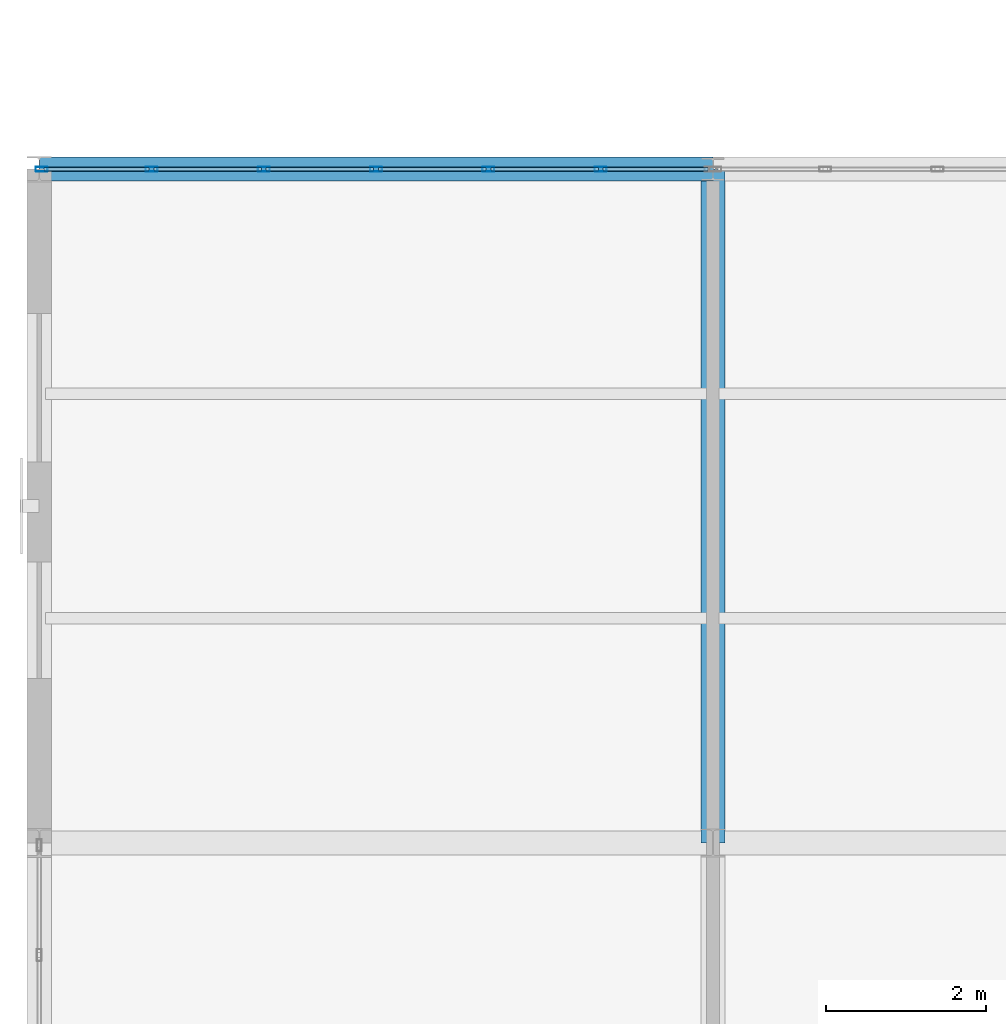
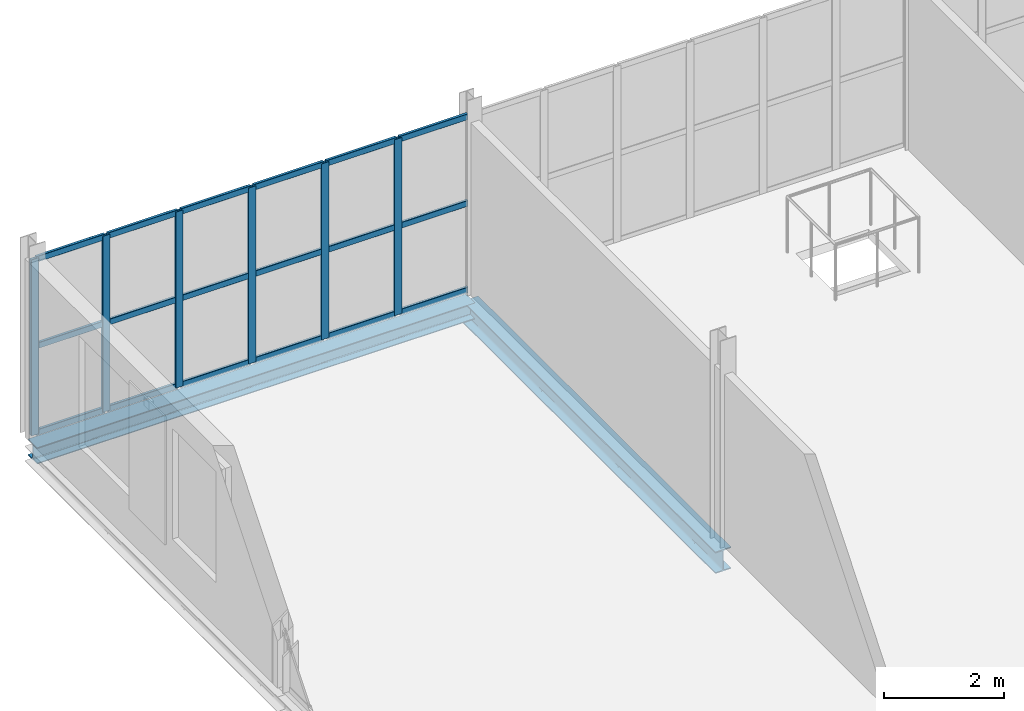
# One storey, part 81 of 163: 24 members, 2 beams, 1 element without a shape of its own.
"""IFC4 building model written with IfcOpenShell, lengths in metres."""

from ifc_helpers import new_model, si_unit, direction, frame, origin, origin_2d, place, context, subcontext, project, spatial, hollow_rectangle, i_section, extrude, material, layer, layer_set, material_profile, profile_set, type_object, element, aggregate, save


model = new_model("IFC4")

# Units and contexts
model_context = context("Model", 3, precision=1e-05, world=origin(), true_north=direction((0.0, 1.0)))
body_context = subcontext(model_context, "Body", "Model", "MODEL_VIEW")
ifc_project = project(units=[si_unit("LENGTHUNIT", "METRE"), si_unit("AREAUNIT", "SQUARE_METRE"), si_unit("VOLUMEUNIT", "CUBIC_METRE"), si_unit("PLANEANGLEUNIT", "RADIAN"), si_unit("MASSUNIT", "GRAM", prefix="KILO")], contexts=[model_context])

# Site, building, storey
site_placement = place(None, origin())
site = spatial("IfcSite", under=ifc_project, at=site_placement, CompositionType="ELEMENT")
building_placement = place(site_placement, origin())
building = spatial("IfcBuilding", under=site, at=building_placement, Name="Qalvenar Corner Mobility Hub", CompositionType="ELEMENT")
storey_placement = place(building_placement, frame((0.0, 0.0, 4.800048828125)))
storey = spatial("IfcBuildingStorey", under=building, at=storey_placement, Name="L01", CompositionType="ELEMENT", Elevation=4.800048828125)

# Beams
ifc_material_1 = material(Name="Steel S355", Category="steel")
ifc_material_profile_1 = material_profile(ifc_material_1, i_section(OverallWidth=0.300048828125, OverallDepth=0.43994140625, WebThickness=0.011474609375, FlangeThickness=0.02099609375, FilletRadius=0.027099609375, at=origin_2d()), Name="HEA450")
ifc_profile_set_1 = profile_set([ifc_material_profile_1], Name="Steel S355")
beam_type_1 = type_object("IfcBeamType", Name="BM-HEA450", PredefinedType="BEAM", material=ifc_profile_set_1)
beam_1_placement = place(storey_placement, frame((8.39990234375, 84.0, -0.400146484375), z_axis=(0.0, 1.0, 0.0), x_axis=(-1.0, 0.0, 0.0)))
element("IfcBeam", 1, at=beam_1_placement, inside=storey, type_object=beam_type_1, Name="Primary Steel Girder GY-1191", PredefinedType="BEAM", context=body_context, shape_type="SweptSolid", body=[
    extrude(i_section(OverallWidth=0.300048828125, OverallDepth=0.43994140625, WebThickness=0.011474609375, FlangeThickness=0.02099609375, FilletRadius=0.027099609375, at=origin_2d()), origin(), (0.0, 0.0, 1.0), 8.39990234375),
])
ifc_material_profile_2 = material_profile(ifc_material_1, i_section(OverallWidth=0.300048828125, OverallDepth=0.330078125, WebThickness=0.009521484375, FlangeThickness=0.0166015625, FilletRadius=0.027099609375, at=origin_2d()), Name="HEA340")
ifc_profile_set_2 = profile_set([ifc_material_profile_2], Name="Steel S355")
beam_type_2 = type_object("IfcBeamType", Name="BM-SPN340", PredefinedType="SPANDREL", material=ifc_profile_set_2)
beam_2_placement = place(storey_placement, frame((0.0, 92.39990234375, -0.344970703125), z_axis=(1.0, 0.0, 0.0), x_axis=(0.0, 1.0, 0.0)))
element("IfcBeam", 2, at=beam_2_placement, inside=storey, type_object=beam_type_2, Name="Primary Steel Girder GX-1176", PredefinedType="SPANDREL", context=body_context, shape_type="SweptSolid", body=[
    extrude(i_section(OverallWidth=0.300048828125, OverallDepth=0.330078125, WebThickness=0.009521484375, FlangeThickness=0.0166015625, FilletRadius=0.027099609375, at=origin_2d()), origin(), (0.0, 0.0, 1.0), 8.39990234375),
])

# Curtain wall, members
ifc_material_2 = material(Name="Anodised Aluminium and Low-E Glazing", Category="aluminium")
ifc_layer = layer(ifc_material_2, 0.14990234375)
ifc_layer_set = layer_set([ifc_layer], Name="Anodised Aluminium and Low-E Glazing")
curtain_wall_type = type_object("IfcCurtainWallType", Name="CW-CYC-84X39", PredefinedType="NOTDEFINED", material=ifc_layer_set)
curtain_wall_placement = place(storey_placement, origin())
curtain_wall = element("IfcCurtainWall", 3, at=curtain_wall_placement, inside=storey, type_object=curtain_wall_type, Name="Glazed Curtain Wall CW-V5-L01-N0", PredefinedType="NOTDEFINED")
ifc_material_3 = material(Name="Anodised Aluminium 6063-T6", Category="aluminium")
ifc_material_profile_3 = material_profile(ifc_material_3, hollow_rectangle(XDim=0.06005859375, YDim=0.14990234375, WallThickness=0.00390625, InnerFilletRadius=0.00390625, OuterFilletRadius=0.008056640625, at=origin_2d()), Name="RHS150x60x4")
ifc_profile_set_3 = profile_set([ifc_material_profile_3], Name="Anodised Aluminium 6063-T6")
member_type_1 = type_object("IfcMemberType", Name="CW-MUL150", PredefinedType="MULLION", material=ifc_profile_set_3)
member_1_placement = place(storey_placement, frame((7.0, 92.39990234375, 0.0), z_axis=(0.0, 0.0, 1.0), x_axis=(0.0, -1.0, 0.0)))
member_1 = element("IfcMember", 4, at=member_1_placement, type_object=member_type_1, Name="CW-08 mullion 2", PredefinedType="MULLION", context=body_context, shape_type="SweptSolid", body=[
    extrude(hollow_rectangle(XDim=0.06005859375, YDim=0.14990234375, WallThickness=0.00390625, InnerFilletRadius=0.00390625, OuterFilletRadius=0.008056640625, at=origin_2d()), origin(), (0.0, 0.0, 1.0), 3.570068359375),
])
member_2_placement = place(storey_placement, frame((5.60009765625, 92.39990234375, 0.0), z_axis=(0.0, 0.0, 1.0), x_axis=(0.0, -1.0, 0.0)))
member_2 = element("IfcMember", 5, at=member_2_placement, type_object=member_type_1, Name="CW-08 mullion 3", PredefinedType="MULLION", context=body_context, shape_type="SweptSolid", body=[
    extrude(hollow_rectangle(XDim=0.06005859375, YDim=0.14990234375, WallThickness=0.00390625, InnerFilletRadius=0.00390625, OuterFilletRadius=0.008056640625, at=origin_2d()), origin(), (0.0, 0.0, 1.0), 3.570068359375),
])
member_3_placement = place(storey_placement, frame((4.199951171875, 92.39990234375, 0.0), z_axis=(0.0, 0.0, 1.0), x_axis=(0.0, -1.0, 0.0)))
member_3 = element("IfcMember", 6, at=member_3_placement, type_object=member_type_1, Name="CW-08 mullion 4", PredefinedType="MULLION", context=body_context, shape_type="SweptSolid", body=[
    extrude(hollow_rectangle(XDim=0.06005859375, YDim=0.14990234375, WallThickness=0.00390625, InnerFilletRadius=0.00390625, OuterFilletRadius=0.008056640625, at=origin_2d()), origin(), (0.0, 0.0, 1.0), 3.570068359375),
])
member_4_placement = place(storey_placement, frame((2.800048828125, 92.39990234375, 0.0), z_axis=(0.0, 0.0, 1.0), x_axis=(0.0, -1.0, 0.0)))
member_4 = element("IfcMember", 7, at=member_4_placement, type_object=member_type_1, Name="CW-08 mullion 5", PredefinedType="MULLION", context=body_context, shape_type="SweptSolid", body=[
    extrude(hollow_rectangle(XDim=0.06005859375, YDim=0.14990234375, WallThickness=0.00390625, InnerFilletRadius=0.00390625, OuterFilletRadius=0.008056640625, at=origin_2d()), origin(), (0.0, 0.0, 1.0), 3.570068359375),
])
member_5_placement = place(storey_placement, frame((1.39990234375, 92.39990234375, 0.0), z_axis=(0.0, 0.0, 1.0), x_axis=(0.0, -1.0, 0.0)))
member_5 = element("IfcMember", 8, at=member_5_placement, type_object=member_type_1, Name="CW-08 mullion 6", PredefinedType="MULLION", context=body_context, shape_type="SweptSolid", body=[
    extrude(hollow_rectangle(XDim=0.06005859375, YDim=0.14990234375, WallThickness=0.00390625, InnerFilletRadius=0.00390625, OuterFilletRadius=0.008056640625, at=origin_2d()), origin(), (0.0, 0.0, 1.0), 3.570068359375),
])
member_6_placement = place(storey_placement, frame((0.030029296875, 92.39990234375, 0.0), z_axis=(0.0, 0.0, 1.0), x_axis=(0.0, -1.0, 0.0)))
member_6 = element("IfcMember", 9, at=member_6_placement, type_object=member_type_1, Name="CW-08 mullion 7", PredefinedType="MULLION", context=body_context, shape_type="SweptSolid", body=[
    extrude(hollow_rectangle(XDim=0.06005859375, YDim=0.14990234375, WallThickness=0.00390625, InnerFilletRadius=0.00390625, OuterFilletRadius=0.008056640625, at=origin_2d()), origin(), (0.0, 0.0, 1.0), 3.570068359375),
])
ifc_material_profile_4 = material_profile(ifc_material_3, hollow_rectangle(XDim=0.054931640625, YDim=0.1201171875, WallThickness=0.00341796875, InnerFilletRadius=0.00341796875, OuterFilletRadius=0.007080078125, at=origin_2d()), Name="RHS120x55x3.5")
ifc_profile_set_4 = profile_set([ifc_material_profile_4], Name="Anodised Aluminium 6063-T6")
member_type_2 = type_object("IfcMemberType", Name="CW-TRN120", PredefinedType="USERDEFINED", material=ifc_profile_set_4)
member_7_placement = place(storey_placement, frame((8.340087890625, 92.39990234375, 0.02734375), z_axis=(-1.0, 0.0, 0.0), x_axis=(0.0, -1.0, 0.0)))
member_7 = element("IfcMember", 10, at=member_7_placement, type_object=member_type_2, Name="CW-08 transom 1.1", ObjectType="TRANSOM", PredefinedType="USERDEFINED", context=body_context, shape_type="SweptSolid", body=[
    extrude(hollow_rectangle(XDim=0.054931640625, YDim=0.1201171875, WallThickness=0.00341796875, InnerFilletRadius=0.00341796875, OuterFilletRadius=0.007080078125, at=origin_2d()), origin(), (0.0, 0.0, 1.0), 1.31005859375),
])
member_8_placement = place(storey_placement, frame((8.340087890625, 92.39990234375, 1.784912109375), z_axis=(-1.0, 0.0, 0.0), x_axis=(0.0, -1.0, 0.0)))
member_8 = element("IfcMember", 11, at=member_8_placement, type_object=member_type_2, Name="CW-08 transom 1.2", ObjectType="TRANSOM", PredefinedType="USERDEFINED", context=body_context, shape_type="SweptSolid", body=[
    extrude(hollow_rectangle(XDim=0.054931640625, YDim=0.1201171875, WallThickness=0.00341796875, InnerFilletRadius=0.00341796875, OuterFilletRadius=0.007080078125, at=origin_2d()), origin(), (0.0, 0.0, 1.0), 1.31005859375),
])
member_9_placement = place(storey_placement, frame((8.340087890625, 92.39990234375, 3.54248046875), z_axis=(-1.0, 0.0, 0.0), x_axis=(0.0, -1.0, 0.0)))
member_9 = element("IfcMember", 12, at=member_9_placement, type_object=member_type_2, Name="CW-08 transom 1.3", ObjectType="TRANSOM", PredefinedType="USERDEFINED", context=body_context, shape_type="SweptSolid", body=[
    extrude(hollow_rectangle(XDim=0.054931640625, YDim=0.1201171875, WallThickness=0.00341796875, InnerFilletRadius=0.00341796875, OuterFilletRadius=0.007080078125, at=origin_2d()), origin(), (0.0, 0.0, 1.0), 1.31005859375),
])
member_10_placement = place(storey_placement, frame((6.969970703125, 92.39990234375, 0.02734375), z_axis=(-1.0, 0.0, 0.0), x_axis=(0.0, -1.0, 0.0)))
member_10 = element("IfcMember", 13, at=member_10_placement, type_object=member_type_2, Name="CW-08 transom 2.1", ObjectType="TRANSOM", PredefinedType="USERDEFINED", context=body_context, shape_type="SweptSolid", body=[
    extrude(hollow_rectangle(XDim=0.054931640625, YDim=0.1201171875, WallThickness=0.00341796875, InnerFilletRadius=0.00341796875, OuterFilletRadius=0.007080078125, at=origin_2d()), origin(), (0.0, 0.0, 1.0), 1.340087890625),
])
member_11_placement = place(storey_placement, frame((6.969970703125, 92.39990234375, 1.784912109375), z_axis=(-1.0, 0.0, 0.0), x_axis=(0.0, -1.0, 0.0)))
member_11 = element("IfcMember", 14, at=member_11_placement, type_object=member_type_2, Name="CW-08 transom 2.2", ObjectType="TRANSOM", PredefinedType="USERDEFINED", context=body_context, shape_type="SweptSolid", body=[
    extrude(hollow_rectangle(XDim=0.054931640625, YDim=0.1201171875, WallThickness=0.00341796875, InnerFilletRadius=0.00341796875, OuterFilletRadius=0.007080078125, at=origin_2d()), origin(), (0.0, 0.0, 1.0), 1.340087890625),
])
member_12_placement = place(storey_placement, frame((6.969970703125, 92.39990234375, 3.54248046875), z_axis=(-1.0, 0.0, 0.0), x_axis=(0.0, -1.0, 0.0)))
member_12 = element("IfcMember", 15, at=member_12_placement, type_object=member_type_2, Name="CW-08 transom 2.3", ObjectType="TRANSOM", PredefinedType="USERDEFINED", context=body_context, shape_type="SweptSolid", body=[
    extrude(hollow_rectangle(XDim=0.054931640625, YDim=0.1201171875, WallThickness=0.00341796875, InnerFilletRadius=0.00341796875, OuterFilletRadius=0.007080078125, at=origin_2d()), origin(), (0.0, 0.0, 1.0), 1.340087890625),
])
member_13_placement = place(storey_placement, frame((5.570068359375, 92.39990234375, 0.02734375), z_axis=(-1.0, 0.0, 0.0), x_axis=(0.0, -1.0, 0.0)))
member_13 = element("IfcMember", 16, at=member_13_placement, type_object=member_type_2, Name="CW-08 transom 3.1", ObjectType="TRANSOM", PredefinedType="USERDEFINED", context=body_context, shape_type="SweptSolid", body=[
    extrude(hollow_rectangle(XDim=0.054931640625, YDim=0.1201171875, WallThickness=0.00341796875, InnerFilletRadius=0.00341796875, OuterFilletRadius=0.007080078125, at=origin_2d()), origin(), (0.0, 0.0, 1.0), 1.340087890625),
])
member_14_placement = place(storey_placement, frame((5.570068359375, 92.39990234375, 1.784912109375), z_axis=(-1.0, 0.0, 0.0), x_axis=(0.0, -1.0, 0.0)))
member_14 = element("IfcMember", 17, at=member_14_placement, type_object=member_type_2, Name="CW-08 transom 3.2", ObjectType="TRANSOM", PredefinedType="USERDEFINED", context=body_context, shape_type="SweptSolid", body=[
    extrude(hollow_rectangle(XDim=0.054931640625, YDim=0.1201171875, WallThickness=0.00341796875, InnerFilletRadius=0.00341796875, OuterFilletRadius=0.007080078125, at=origin_2d()), origin(), (0.0, 0.0, 1.0), 1.340087890625),
])
member_15_placement = place(storey_placement, frame((5.570068359375, 92.39990234375, 3.54248046875), z_axis=(-1.0, 0.0, 0.0), x_axis=(0.0, -1.0, 0.0)))
member_15 = element("IfcMember", 18, at=member_15_placement, type_object=member_type_2, Name="CW-08 transom 3.3", ObjectType="TRANSOM", PredefinedType="USERDEFINED", context=body_context, shape_type="SweptSolid", body=[
    extrude(hollow_rectangle(XDim=0.054931640625, YDim=0.1201171875, WallThickness=0.00341796875, InnerFilletRadius=0.00341796875, OuterFilletRadius=0.007080078125, at=origin_2d()), origin(), (0.0, 0.0, 1.0), 1.340087890625),
])
member_16_placement = place(storey_placement, frame((4.169921875, 92.39990234375, 0.02734375), z_axis=(-1.0, 0.0, 0.0), x_axis=(0.0, -1.0, 0.0)))
member_16 = element("IfcMember", 19, at=member_16_placement, type_object=member_type_2, Name="CW-08 transom 4.1", ObjectType="TRANSOM", PredefinedType="USERDEFINED", context=body_context, shape_type="SweptSolid", body=[
    extrude(hollow_rectangle(XDim=0.054931640625, YDim=0.1201171875, WallThickness=0.00341796875, InnerFilletRadius=0.00341796875, OuterFilletRadius=0.007080078125, at=origin_2d()), origin(), (0.0, 0.0, 1.0), 1.33984375),
])
member_17_placement = place(storey_placement, frame((4.169921875, 92.39990234375, 1.784912109375), z_axis=(-1.0, 0.0, 0.0), x_axis=(0.0, -1.0, 0.0)))
member_17 = element("IfcMember", 20, at=member_17_placement, type_object=member_type_2, Name="CW-08 transom 4.2", ObjectType="TRANSOM", PredefinedType="USERDEFINED", context=body_context, shape_type="SweptSolid", body=[
    extrude(hollow_rectangle(XDim=0.054931640625, YDim=0.1201171875, WallThickness=0.00341796875, InnerFilletRadius=0.00341796875, OuterFilletRadius=0.007080078125, at=origin_2d()), origin(), (0.0, 0.0, 1.0), 1.33984375),
])
member_18_placement = place(storey_placement, frame((4.169921875, 92.39990234375, 3.54248046875), z_axis=(-1.0, 0.0, 0.0), x_axis=(0.0, -1.0, 0.0)))
member_18 = element("IfcMember", 21, at=member_18_placement, type_object=member_type_2, Name="CW-08 transom 4.3", ObjectType="TRANSOM", PredefinedType="USERDEFINED", context=body_context, shape_type="SweptSolid", body=[
    extrude(hollow_rectangle(XDim=0.054931640625, YDim=0.1201171875, WallThickness=0.00341796875, InnerFilletRadius=0.00341796875, OuterFilletRadius=0.007080078125, at=origin_2d()), origin(), (0.0, 0.0, 1.0), 1.33984375),
])
member_19_placement = place(storey_placement, frame((2.77001953125, 92.39990234375, 0.02734375), z_axis=(-1.0, 0.0, 0.0), x_axis=(0.0, -1.0, 0.0)))
member_19 = element("IfcMember", 22, at=member_19_placement, type_object=member_type_2, Name="CW-08 transom 5.1", ObjectType="TRANSOM", PredefinedType="USERDEFINED", context=body_context, shape_type="SweptSolid", body=[
    extrude(hollow_rectangle(XDim=0.054931640625, YDim=0.1201171875, WallThickness=0.00341796875, InnerFilletRadius=0.00341796875, OuterFilletRadius=0.007080078125, at=origin_2d()), origin(), (0.0, 0.0, 1.0), 1.340087890625),
])
member_20_placement = place(storey_placement, frame((2.77001953125, 92.39990234375, 1.784912109375), z_axis=(-1.0, 0.0, 0.0), x_axis=(0.0, -1.0, 0.0)))
member_20 = element("IfcMember", 23, at=member_20_placement, type_object=member_type_2, Name="CW-08 transom 5.2", ObjectType="TRANSOM", PredefinedType="USERDEFINED", context=body_context, shape_type="SweptSolid", body=[
    extrude(hollow_rectangle(XDim=0.054931640625, YDim=0.1201171875, WallThickness=0.00341796875, InnerFilletRadius=0.00341796875, OuterFilletRadius=0.007080078125, at=origin_2d()), origin(), (0.0, 0.0, 1.0), 1.340087890625),
])
member_21_placement = place(storey_placement, frame((2.77001953125, 92.39990234375, 3.54248046875), z_axis=(-1.0, 0.0, 0.0), x_axis=(0.0, -1.0, 0.0)))
member_21 = element("IfcMember", 24, at=member_21_placement, type_object=member_type_2, Name="CW-08 transom 5.3", ObjectType="TRANSOM", PredefinedType="USERDEFINED", context=body_context, shape_type="SweptSolid", body=[
    extrude(hollow_rectangle(XDim=0.054931640625, YDim=0.1201171875, WallThickness=0.00341796875, InnerFilletRadius=0.00341796875, OuterFilletRadius=0.007080078125, at=origin_2d()), origin(), (0.0, 0.0, 1.0), 1.340087890625),
])
member_22_placement = place(storey_placement, frame((1.3701171875, 92.39990234375, 0.02734375), z_axis=(-1.0, 0.0, 0.0), x_axis=(0.0, -1.0, 0.0)))
member_22 = element("IfcMember", 25, at=member_22_placement, type_object=member_type_2, Name="CW-08 transom 6.1", ObjectType="TRANSOM", PredefinedType="USERDEFINED", context=body_context, shape_type="SweptSolid", body=[
    extrude(hollow_rectangle(XDim=0.054931640625, YDim=0.1201171875, WallThickness=0.00341796875, InnerFilletRadius=0.00341796875, OuterFilletRadius=0.007080078125, at=origin_2d()), origin(), (0.0, 0.0, 1.0), 1.31005859375),
])
member_23_placement = place(storey_placement, frame((1.3701171875, 92.39990234375, 1.784912109375), z_axis=(-1.0, 0.0, 0.0), x_axis=(0.0, -1.0, 0.0)))
member_23 = element("IfcMember", 26, at=member_23_placement, type_object=member_type_2, Name="CW-08 transom 6.2", ObjectType="TRANSOM", PredefinedType="USERDEFINED", context=body_context, shape_type="SweptSolid", body=[
    extrude(hollow_rectangle(XDim=0.054931640625, YDim=0.1201171875, WallThickness=0.00341796875, InnerFilletRadius=0.00341796875, OuterFilletRadius=0.007080078125, at=origin_2d()), origin(), (0.0, 0.0, 1.0), 1.31005859375),
])
member_24_placement = place(storey_placement, frame((1.3701171875, 92.39990234375, 3.54248046875), z_axis=(-1.0, 0.0, 0.0), x_axis=(0.0, -1.0, 0.0)))
member_24 = element("IfcMember", 27, at=member_24_placement, type_object=member_type_2, Name="CW-08 transom 6.3", ObjectType="TRANSOM", PredefinedType="USERDEFINED", context=body_context, shape_type="SweptSolid", body=[
    extrude(hollow_rectangle(XDim=0.054931640625, YDim=0.1201171875, WallThickness=0.00341796875, InnerFilletRadius=0.00341796875, OuterFilletRadius=0.007080078125, at=origin_2d()), origin(), (0.0, 0.0, 1.0), 1.31005859375),
])
aggregate(curtain_wall, [member_1, member_2, member_3, member_4, member_5, member_6, member_7, member_8, member_9, member_10, member_11, member_12, member_13, member_14, member_15, member_16, member_17, member_18, member_19, member_20, member_21, member_22, member_23, member_24])

save(model, "model.ifc")
